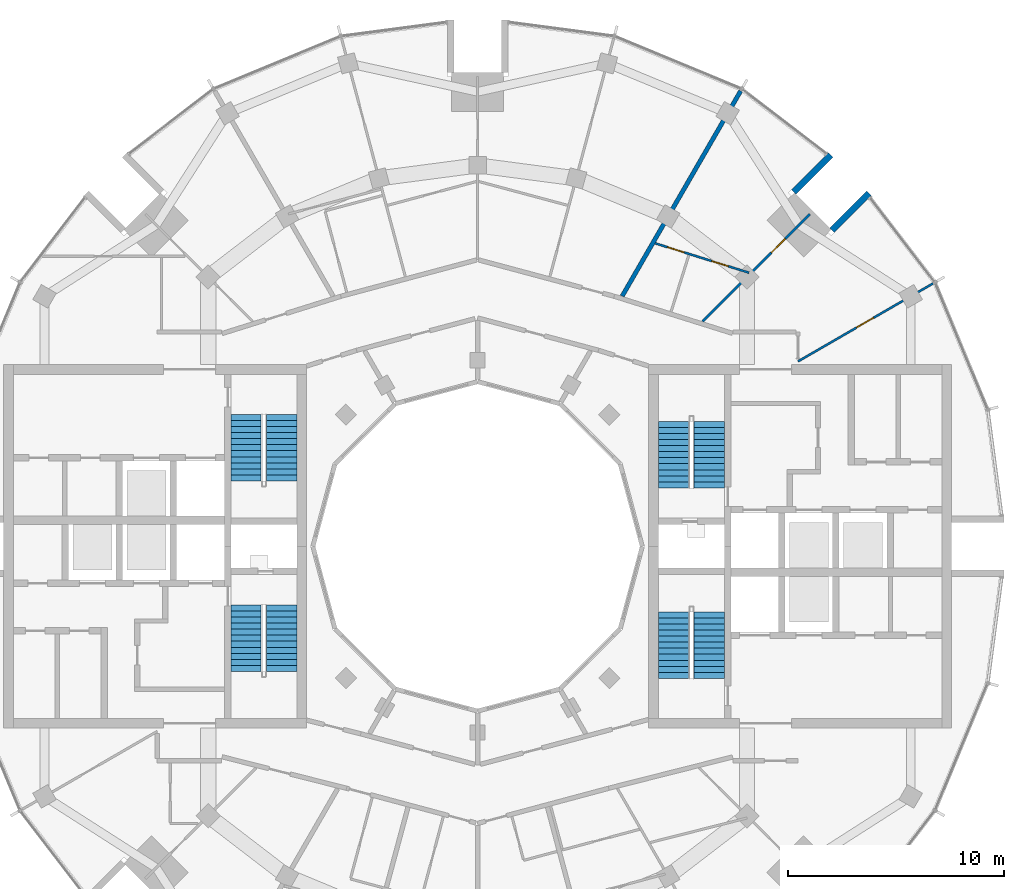
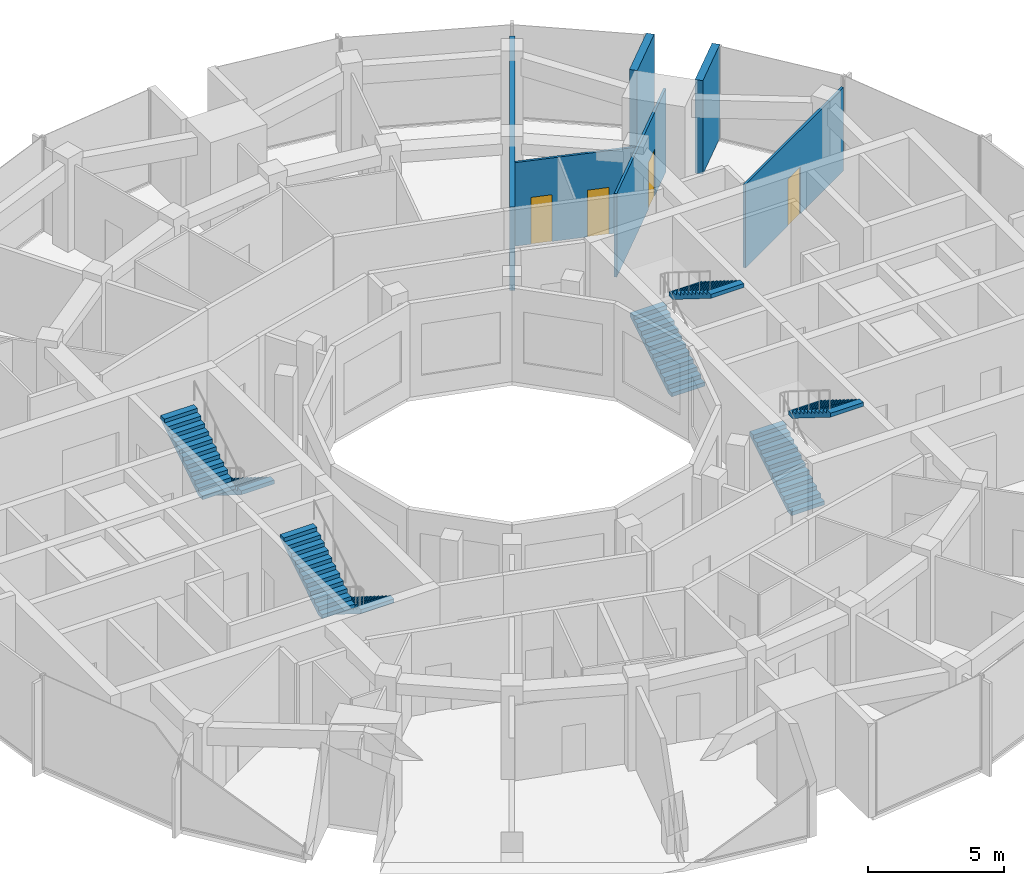
# One storey, part 13 of 15: 8 stair flights, 6 walls, 4 doors, 4 openings, 4 elements without a shape of their own.
"""IFC4 building model written with IfcOpenShell, lengths in metres."""

from ifc_helpers import new_model, si_unit, direction, frame, frame_2d, origin, place, context, subcontext, project, spatial, polyline, rectangle, outline, extrude, material, layer, layer_set, type_object, element, fill, aggregate, save


model = new_model("IFC4")

# Units and contexts
model_context = context("Model", 3, precision=1e-05, world=origin(), true_north=direction((0.0, 1.0)))
body_context = subcontext(model_context, "Body", "Model", "MODEL_VIEW")
ifc_project = project(units=[si_unit("LENGTHUNIT", "METRE"), si_unit("AREAUNIT", "SQUARE_METRE"), si_unit("VOLUMEUNIT", "CUBIC_METRE"), si_unit("PLANEANGLEUNIT", "RADIAN"), si_unit("MASSUNIT", "GRAM", prefix="KILO")], contexts=[model_context])

# Site, building, storey
site_placement = place(None, origin())
site = spatial("IfcSite", under=ifc_project, at=site_placement, CompositionType="ELEMENT")
building_placement = place(site_placement, origin())
building = spatial("IfcBuilding", under=site, at=building_placement, Name="Torre Brocal", CompositionType="ELEMENT")
storey_placement = place(building_placement, frame((0.0, 0.0, 279.89990234375)))
storey = spatial("IfcBuildingStorey", under=building, at=storey_placement, Name="L64", CompositionType="ELEMENT", Elevation=279.89990234375)

# Walls
ifc_material_1 = material(Name="Concrete C50", Category="concrete")
ifc_layer_1 = layer(ifc_material_1, 0.300048828125)
ifc_layer_set_1 = layer_set([ifc_layer_1], Name="Concrete C50")
wall_type_1 = type_object("IfcWallType", Name="NOTCH RETURN WALL 300 C50", PredefinedType="NOTDEFINED", material=ifc_layer_set_1)
for number, where, z_axis, x_axis, name in (
    (1, (96.36962890625, 89.601806640625, 0.0), (0.0, 0.0, 1.0), (0.707106781187, 0.707106781187, 0.0), "NOTCH RETURN WALL"),
    (2, (94.601806640625, 91.36962890625, 0.0), (0.0, 0.0, 1.0), (0.707106781187, 0.707106781187, 0.0), "NOTCH RETURN WALL"),
):
    element("IfcWall", number, at=place(storey_placement, frame(where, z_axis=z_axis, x_axis=x_axis)), inside=storey, type_object=wall_type_1, Name=name, PredefinedType="NOTDEFINED", context=body_context, shape_type="SweptSolid", body=[
        extrude(rectangle(XDim=2.41552734375, YDim=0.300048828125, at=frame_2d((1.207763671875, 0.0))), origin(), (0.0, 0.0, 1.0), 4.2001953125),
    ])

# Wall, openings, doors
ifc_material_2 = material(Name="Gypsum board", Category="Gypsum")
ifc_layer_2 = layer(ifc_material_2, 0.10009765625)
ifc_layer_set_2 = layer_set([ifc_layer_2], Name="Gypsum board")
wall_type_2 = type_object("IfcWallType", Name="PARTITION 100", PredefinedType="PARTITIONING", material=ifc_layer_set_2)
wall_1_placement = place(storey_placement, frame((88.20703125, 88.999267578125, 0.0), z_axis=(0.0, 0.0, 1.0), x_axis=(0.954166656768, -0.29927577769, 0.0)))
wall_1 = element("IfcWall", 3, at=wall_1_placement, inside=storey, type_object=wall_type_2, Name="BATHROOM WALL", PredefinedType="PARTITIONING", context=body_context, shape_type="SweptSolid", body=[
    extrude(rectangle(XDim=4.54150390625, YDim=0.10009765625, at=frame_2d((2.270751953125, 0.0))), origin(), (0.0, 0.0, 1.0), 3.75),
])
opening_1_placement = place(wall_1_placement, frame((0.59228515625, 0.0, 0.0)))
opening_1 = element("IfcOpeningElement", 4, at=opening_1_placement, cuts=wall_1, Name="Opening N01-D03", PredefinedType="OPENING", context=body_context, shape_type="SweptSolid", body=[
    extrude(rectangle(XDim=0.800048828125, YDim=2.10009765625, at=frame_2d((0.39990234375, 1.050048828125))), frame((0.0, 0.06005859375, 0.0), z_axis=(0.0, -1.0, 0.0), x_axis=(1.0, 0.0, 0.0)), (0.0, 0.0, 1.0), 0.1201171875),
])
opening_2_placement = place(wall_1_placement, frame((2.73193359375, 0.0, 0.0)))
opening_2 = element("IfcOpeningElement", 5, at=opening_2_placement, cuts=wall_1, Name="Opening N01-D04", PredefinedType="OPENING", context=body_context, shape_type="SweptSolid", body=[
    extrude(rectangle(XDim=0.800048828125, YDim=2.10009765625, at=frame_2d((0.39990234375, 1.050048828125))), frame((0.0, 0.06005859375, 0.0), z_axis=(0.0, -1.0, 0.0), x_axis=(1.0, 0.0, 0.0)), (0.0, 0.0, 1.0), 0.1201171875),
])
ifc_material_3 = material(Name="Timber", Category="wood")
door_type_1 = type_object("IfcDoorType", Name="BATHROOM DOOR 800X2100", OperationType="SINGLE_SWING_LEFT", PredefinedType="DOOR", material=ifc_material_3)
door_1_placement = place(opening_1_placement, frame((0.800048828125, 0.0, 0.0), z_axis=(0.0, 0.0, 1.0), x_axis=(-1.0, 0.0, 0.0)))
door_1 = element("IfcDoor", 6, at=door_1_placement, inside=storey, type_object=door_type_1, Name="N01-D03", OperationType="SINGLE_SWING_LEFT", OverallHeight=2.10009765625, OverallWidth=0.800048828125, PredefinedType="DOOR", context=body_context, shape_type="SweptSolid", body=[
    extrude(rectangle(XDim=0.800048828125, YDim=2.10009765625, at=frame_2d((0.39990234375, 1.050048828125))), frame((0.0, 0.02490234375, 0.0), z_axis=(0.0, -1.0, 0.0), x_axis=(1.0, 0.0, 0.0)), (0.0, 0.0, 1.0), 0.050048828125),
])
fill(opening_1, door_1)
door_2_placement = place(opening_2_placement, frame((0.800048828125, 0.0, 0.0), z_axis=(0.0, 0.0, 1.0), x_axis=(-1.0, 0.0, 0.0)))
door_2 = element("IfcDoor", 7, at=door_2_placement, inside=storey, type_object=door_type_1, Name="N01-D04", OperationType="SINGLE_SWING_LEFT", OverallHeight=2.10009765625, OverallWidth=0.800048828125, PredefinedType="DOOR", context=body_context, shape_type="SweptSolid", body=[
    extrude(rectangle(XDim=0.800048828125, YDim=2.10009765625, at=frame_2d((0.39990234375, 1.050048828125))), frame((0.0, 0.02490234375, 0.0), z_axis=(0.0, -1.0, 0.0), x_axis=(1.0, 0.0, 0.0)), (0.0, 0.0, 1.0), 0.050048828125),
])
fill(opening_2, door_2)

# Wall, opening, door
wall_2_placement = place(storey_placement, frame((90.39501953125, 85.39501953125, 0.0), z_axis=(0.0, 0.0, 1.0), x_axis=(0.707106781187, 0.707106781187, 0.0)))
wall_2 = element("IfcWall", 8, at=wall_2_placement, inside=storey, type_object=wall_type_2, Name="BATHROOM WALL", PredefinedType="PARTITIONING", context=body_context, shape_type="SweptSolid", body=[
    extrude(rectangle(XDim=6.99951171875, YDim=0.10009765625, at=frame_2d((3.499755859375, 0.0))), origin(), (0.0, 0.0, 1.0), 3.75),
])
opening_3_placement = place(wall_2_placement, frame((4.49609375, 0.0, 0.0)))
opening_3 = element("IfcOpeningElement", 9, at=opening_3_placement, cuts=wall_2, Name="Opening N01-D02", PredefinedType="OPENING", context=body_context, shape_type="SweptSolid", body=[
    extrude(rectangle(XDim=0.89990234375, YDim=2.10009765625, at=frame_2d((0.449951171875, 1.050048828125))), frame((0.0, 0.06005859375, 0.0), z_axis=(0.0, -1.0, 0.0), x_axis=(1.0, 0.0, 0.0)), (0.0, 0.0, 1.0), 0.1201171875),
])
ifc_material_4 = material(Name="Timber", Category="wood")
door_type_2 = type_object("IfcDoorType", Name="ROOM DOOR 900X2100", OperationType="SINGLE_SWING_LEFT", PredefinedType="DOOR", material=ifc_material_4)
door_3_placement = place(opening_3_placement, frame((0.89990234375, 0.0, 0.0), z_axis=(0.0, 0.0, 1.0), x_axis=(-1.0, 0.0, 0.0)))
door_3 = element("IfcDoor", 10, at=door_3_placement, inside=storey, type_object=door_type_2, Name="N01-D02", OperationType="SINGLE_SWING_RIGHT", OverallHeight=2.10009765625, OverallWidth=0.89990234375, PredefinedType="DOOR", context=body_context, shape_type="SweptSolid", body=[
    extrude(rectangle(XDim=0.89990234375, YDim=2.10009765625, at=frame_2d((0.449951171875, 1.050048828125))), frame((0.0, 0.02490234375, 0.0), z_axis=(0.0, -1.0, 0.0), x_axis=(1.0, 0.0, 0.0)), (0.0, 0.0, 1.0), 0.050048828125),
])
fill(opening_3, door_3)

wall_3_placement = place(storey_placement, frame((94.800048828125, 83.544921875, 0.0), z_axis=(0.0, 0.0, 1.0), x_axis=(0.866044015472, 0.499967762227, 0.0)))
wall_3 = element("IfcWall", 11, at=wall_3_placement, inside=storey, type_object=wall_type_2, Name="ROOM PARTITION", PredefinedType="PARTITIONING", context=body_context, shape_type="SweptSolid", body=[
    extrude(rectangle(XDim=7.2080078125, YDim=0.10009765625, at=frame_2d((3.60400390625, 0.0))), origin(), (0.0, 0.0, 1.0), 3.75),
])
opening_4_placement = place(wall_3_placement, frame((3.12890625, 0.0, 0.0)))
opening_4 = element("IfcOpeningElement", 12, at=opening_4_placement, cuts=wall_3, Name="Opening N01-D05", PredefinedType="OPENING", context=body_context, shape_type="SweptSolid", body=[
    extrude(rectangle(XDim=0.89990234375, YDim=2.10009765625, at=frame_2d((0.449951171875, 1.050048828125))), frame((0.0, 0.06005859375, 0.0), z_axis=(0.0, -1.0, 0.0), x_axis=(1.0, 0.0, 0.0)), (0.0, 0.0, 1.0), 0.1201171875),
])
door_4_placement = place(opening_4_placement, frame((0.89990234375, 0.0, 0.0), z_axis=(0.0, 0.0, 1.0), x_axis=(-1.0, 0.0, 0.0)))
door_4 = element("IfcDoor", 13, at=door_4_placement, inside=storey, type_object=door_type_2, Name="N01-D05", OperationType="SINGLE_SWING_RIGHT", OverallHeight=2.10009765625, OverallWidth=0.89990234375, PredefinedType="DOOR", context=body_context, shape_type="SweptSolid", body=[
    extrude(rectangle(XDim=0.89990234375, YDim=2.10009765625, at=frame_2d((0.449951171875, 1.050048828125))), frame((0.0, 0.02490234375, 0.0), z_axis=(0.0, -1.0, 0.0), x_axis=(1.0, 0.0, 0.0)), (0.0, 0.0, 1.0), 0.050048828125),
])
fill(opening_4, door_4)

# Wall
ifc_material_5 = material(Name="Gypsum board", Category="Gypsum")
ifc_layer_3 = layer(ifc_material_5, 0.199951171875)
ifc_layer_set_3 = layer_set([ifc_layer_3], Name="Gypsum board")
wall_type_3 = type_object("IfcWallType", Name="PARTITION 200 EI60", PredefinedType="PARTITIONING", material=ifc_layer_set_3)
wall_4_placement = place(storey_placement, frame((86.677978515625, 86.561767578125, 0.0), z_axis=(0.0, 0.0, 1.0), x_axis=(0.500133037155, 0.865948581122, 0.0)))
element("IfcWall", 14, at=wall_4_placement, inside=storey, type_object=wall_type_3, Name="BATHROOM WALL", PredefinedType="PARTITIONING", context=body_context, shape_type="SweptSolid", body=[
    extrude(rectangle(XDim=10.94580078125, YDim=0.199951171875, at=frame_2d((5.472900390625, 0.0))), origin(), (0.0, 0.0, 1.0), 3.75),
])

# Stair, stair flights
ifc_material_6 = material(Name="Concrete C50", Category="concrete")
stair_type = type_object("IfcStairType", Name="EXIT STAIR", PredefinedType="HALF_TURN_STAIR", material=ifc_material_6)
stair_1_placement = place(storey_placement, origin())
stair_1 = element("IfcStair", 15, at=stair_1_placement, inside=storey, type_object=stair_type, Name="EXIT STAIR ST1", PredefinedType="HALF_TURN_STAIR")
ifc_material_7 = material(Name="Concrete C50", Category="concrete")
ifc_layer_4 = layer(ifc_material_7, 0.14990234375)
ifc_layer_set_4 = layer_set([ifc_layer_4], Name="Concrete C50")
stair_flight_type = type_object("IfcStairFlightType", Name="STAIR FLIGHT", PredefinedType="STRAIGHT", material=ifc_layer_set_4)
stair_flight_1_placement = place(storey_placement, frame((89.050048828125, 77.699951171875, 0.0), z_axis=(0.0, 0.0, 1.0), x_axis=(0.0, 1.0, 0.0)))
stair_flight_1 = element("IfcStairFlight", 16, at=stair_flight_1_placement, type_object=stair_flight_type, Name="ST1 flight 1", NumberOfRisers=12, NumberOfTreads=11, PredefinedType="STRAIGHT", RiserHeight=0.175, TreadLength=0.28, context=body_context, shape_type="SweptSolid", body=[
    extrude(outline(polyline([(0.0, 0.0), (0.0, 0.175048828125), (0.280029296875, 0.175048828125), (0.280029296875, 0.35009765625), (0.56005859375, 0.35009765625), (0.56005859375, 0.52490234375), (0.840087890625, 0.52490234375), (0.840087890625, 0.699951171875), (1.1201171875, 0.699951171875), (1.1201171875, 0.875), (1.39990234375, 0.875), (1.39990234375, 1.050048828125), (1.679931640625, 1.050048828125), (1.679931640625, 1.22509765625), (1.9599609375, 1.22509765625), (1.9599609375, 1.39990234375), (2.239990234375, 1.39990234375), (2.239990234375, 1.574951171875), (2.52001953125, 1.574951171875), (2.52001953125, 1.75), (2.800048828125, 1.75), (2.800048828125, 1.925048828125), (3.080078125, 1.925048828125), (3.080078125, 2.10009765625), (3.080078125, 1.748291015625), (0.28271484375, 0.0), (0.0, 0.0)])), frame((0.0, 0.699951171875, 0.0), z_axis=(0.0, -1.0, 0.0), x_axis=(1.0, 0.0, 0.0)), (0.0, 0.0, 1.0), 1.39990234375),
])
stair_flight_2_placement = place(storey_placement, frame((90.699951171875, 80.780029296875, 2.10009765625), z_axis=(0.0, 0.0, 1.0), x_axis=(0.0, -1.0, 0.0)))
stair_flight_2 = element("IfcStairFlight", 17, at=stair_flight_2_placement, type_object=stair_flight_type, Name="ST1 flight 2", NumberOfRisers=12, NumberOfTreads=11, PredefinedType="STRAIGHT", RiserHeight=0.175, TreadLength=0.28, context=body_context, shape_type="SweptSolid", body=[
    extrude(outline(polyline([(0.0, 0.0), (0.0, 0.175048828125), (0.280029296875, 0.175048828125), (0.280029296875, 0.35009765625), (0.56005859375, 0.35009765625), (0.56005859375, 0.52490234375), (0.840087890625, 0.52490234375), (0.840087890625, 0.699951171875), (1.1201171875, 0.699951171875), (1.1201171875, 0.875), (1.39990234375, 0.875), (1.39990234375, 1.050048828125), (1.679931640625, 1.050048828125), (1.679931640625, 1.22509765625), (1.9599609375, 1.22509765625), (1.9599609375, 1.39990234375), (2.239990234375, 1.39990234375), (2.239990234375, 1.574951171875), (2.52001953125, 1.574951171875), (2.52001953125, 1.75), (2.800048828125, 1.75), (2.800048828125, 1.925048828125), (3.080078125, 1.925048828125), (3.080078125, 2.10009765625), (3.080078125, 1.748291015625), (0.28271484375, 0.0), (0.0, 0.0)])), frame((0.0, 0.699951171875, 0.0), z_axis=(0.0, -1.0, 0.0), x_axis=(1.0, 0.0, 0.0)), (0.0, 0.0, 1.0), 1.39990234375),
])
aggregate(stair_1, [stair_flight_1, stair_flight_2])

stair_2_placement = place(storey_placement, origin())
stair_2 = element("IfcStair", 18, at=stair_2_placement, inside=storey, type_object=stair_type, Name="EXIT STAIR ST2", PredefinedType="HALF_TURN_STAIR")
stair_flight_3_placement = place(storey_placement, frame((89.050048828125, 68.89990234375, 0.0), z_axis=(0.0, 0.0, 1.0), x_axis=(0.0, 1.0, 0.0)))
stair_flight_3 = element("IfcStairFlight", 19, at=stair_flight_3_placement, type_object=stair_flight_type, Name="ST2 flight 1", NumberOfRisers=12, NumberOfTreads=11, PredefinedType="STRAIGHT", RiserHeight=0.175, TreadLength=0.28, context=body_context, shape_type="SweptSolid", body=[
    extrude(outline(polyline([(0.0, 0.0), (0.0, 0.175048828125), (0.280029296875, 0.175048828125), (0.280029296875, 0.35009765625), (0.56005859375, 0.35009765625), (0.56005859375, 0.52490234375), (0.840087890625, 0.52490234375), (0.840087890625, 0.699951171875), (1.1201171875, 0.699951171875), (1.1201171875, 0.875), (1.39990234375, 0.875), (1.39990234375, 1.050048828125), (1.679931640625, 1.050048828125), (1.679931640625, 1.22509765625), (1.9599609375, 1.22509765625), (1.9599609375, 1.39990234375), (2.239990234375, 1.39990234375), (2.239990234375, 1.574951171875), (2.52001953125, 1.574951171875), (2.52001953125, 1.75), (2.800048828125, 1.75), (2.800048828125, 1.925048828125), (3.080078125, 1.925048828125), (3.080078125, 2.10009765625), (3.080078125, 1.748291015625), (0.28271484375, 0.0), (0.0, 0.0)])), frame((0.0, 0.699951171875, 0.0), z_axis=(0.0, -1.0, 0.0), x_axis=(1.0, 0.0, 0.0)), (0.0, 0.0, 1.0), 1.39990234375),
])
stair_flight_4_placement = place(storey_placement, frame((90.699951171875, 71.97998046875, 2.10009765625), z_axis=(0.0, 0.0, 1.0), x_axis=(0.0, -1.0, 0.0)))
stair_flight_4 = element("IfcStairFlight", 20, at=stair_flight_4_placement, type_object=stair_flight_type, Name="ST2 flight 2", NumberOfRisers=12, NumberOfTreads=11, PredefinedType="STRAIGHT", RiserHeight=0.175, TreadLength=0.28, context=body_context, shape_type="SweptSolid", body=[
    extrude(outline(polyline([(0.0, 0.0), (0.0, 0.175048828125), (0.280029296875, 0.175048828125), (0.280029296875, 0.35009765625), (0.56005859375, 0.35009765625), (0.56005859375, 0.52490234375), (0.840087890625, 0.52490234375), (0.840087890625, 0.699951171875), (1.1201171875, 0.699951171875), (1.1201171875, 0.875), (1.39990234375, 0.875), (1.39990234375, 1.050048828125), (1.679931640625, 1.050048828125), (1.679931640625, 1.22509765625), (1.9599609375, 1.22509765625), (1.9599609375, 1.39990234375), (2.239990234375, 1.39990234375), (2.239990234375, 1.574951171875), (2.52001953125, 1.574951171875), (2.52001953125, 1.75), (2.800048828125, 1.75), (2.800048828125, 1.925048828125), (3.080078125, 1.925048828125), (3.080078125, 2.10009765625), (3.080078125, 1.748291015625), (0.28271484375, 0.0), (0.0, 0.0)])), frame((0.0, 0.699951171875, 0.0), z_axis=(0.0, -1.0, 0.0), x_axis=(1.0, 0.0, 0.0)), (0.0, 0.0, 1.0), 1.39990234375),
])
aggregate(stair_2, [stair_flight_3, stair_flight_4])

stair_3_placement = place(storey_placement, origin())
stair_3 = element("IfcStair", 21, at=stair_3_placement, inside=storey, type_object=stair_type, Name="EXIT STAIR ST3", PredefinedType="HALF_TURN_STAIR")
stair_flight_5_placement = place(storey_placement, frame((70.949951171875, 72.300048828125, 0.0), z_axis=(0.0, 0.0, 1.0), x_axis=(0.0, -1.0, 0.0)))
stair_flight_5 = element("IfcStairFlight", 22, at=stair_flight_5_placement, type_object=stair_flight_type, Name="ST3 flight 1", NumberOfRisers=12, NumberOfTreads=11, PredefinedType="STRAIGHT", RiserHeight=0.175, TreadLength=0.28, context=body_context, shape_type="SweptSolid", body=[
    extrude(outline(polyline([(0.0, 0.0), (0.0, 0.175048828125), (0.280029296875, 0.175048828125), (0.280029296875, 0.35009765625), (0.56005859375, 0.35009765625), (0.56005859375, 0.52490234375), (0.840087890625, 0.52490234375), (0.840087890625, 0.699951171875), (1.1201171875, 0.699951171875), (1.1201171875, 0.875), (1.39990234375, 0.875), (1.39990234375, 1.050048828125), (1.679931640625, 1.050048828125), (1.679931640625, 1.22509765625), (1.9599609375, 1.22509765625), (1.9599609375, 1.39990234375), (2.239990234375, 1.39990234375), (2.239990234375, 1.574951171875), (2.52001953125, 1.574951171875), (2.52001953125, 1.75), (2.800048828125, 1.75), (2.800048828125, 1.925048828125), (3.080078125, 1.925048828125), (3.080078125, 2.10009765625), (3.080078125, 1.748291015625), (0.28271484375, 0.0), (0.0, 0.0)])), frame((0.0, 0.699951171875, 0.0), z_axis=(0.0, -1.0, 0.0), x_axis=(1.0, 0.0, 0.0)), (0.0, 0.0, 1.0), 1.39990234375),
])
stair_flight_6_placement = place(storey_placement, frame((69.300048828125, 69.219970703125, 2.10009765625), z_axis=(0.0, 0.0, 1.0), x_axis=(0.0, 1.0, 0.0)))
stair_flight_6 = element("IfcStairFlight", 23, at=stair_flight_6_placement, type_object=stair_flight_type, Name="ST3 flight 2", NumberOfRisers=12, NumberOfTreads=11, PredefinedType="STRAIGHT", RiserHeight=0.175, TreadLength=0.28, context=body_context, shape_type="SweptSolid", body=[
    extrude(outline(polyline([(0.0, 0.0), (0.0, 0.175048828125), (0.280029296875, 0.175048828125), (0.280029296875, 0.35009765625), (0.56005859375, 0.35009765625), (0.56005859375, 0.52490234375), (0.840087890625, 0.52490234375), (0.840087890625, 0.699951171875), (1.1201171875, 0.699951171875), (1.1201171875, 0.875), (1.39990234375, 0.875), (1.39990234375, 1.050048828125), (1.679931640625, 1.050048828125), (1.679931640625, 1.22509765625), (1.9599609375, 1.22509765625), (1.9599609375, 1.39990234375), (2.239990234375, 1.39990234375), (2.239990234375, 1.574951171875), (2.52001953125, 1.574951171875), (2.52001953125, 1.75), (2.800048828125, 1.75), (2.800048828125, 1.925048828125), (3.080078125, 1.925048828125), (3.080078125, 2.10009765625), (3.080078125, 1.748291015625), (0.28271484375, 0.0), (0.0, 0.0)])), frame((0.0, 0.699951171875, 0.0), z_axis=(0.0, -1.0, 0.0), x_axis=(1.0, 0.0, 0.0)), (0.0, 0.0, 1.0), 1.39990234375),
])
aggregate(stair_3, [stair_flight_5, stair_flight_6])

stair_4_placement = place(storey_placement, origin())
stair_4 = element("IfcStair", 24, at=stair_4_placement, inside=storey, type_object=stair_type, Name="EXIT STAIR ST4", PredefinedType="HALF_TURN_STAIR")
stair_flight_7_placement = place(storey_placement, frame((70.949951171875, 81.10009765625, 0.0), z_axis=(0.0, 0.0, 1.0), x_axis=(0.0, -1.0, 0.0)))
stair_flight_7 = element("IfcStairFlight", 25, at=stair_flight_7_placement, type_object=stair_flight_type, Name="ST4 flight 1", NumberOfRisers=12, NumberOfTreads=11, PredefinedType="STRAIGHT", RiserHeight=0.175, TreadLength=0.28, context=body_context, shape_type="SweptSolid", body=[
    extrude(outline(polyline([(0.0, 0.0), (0.0, 0.175048828125), (0.280029296875, 0.175048828125), (0.280029296875, 0.35009765625), (0.56005859375, 0.35009765625), (0.56005859375, 0.52490234375), (0.840087890625, 0.52490234375), (0.840087890625, 0.699951171875), (1.1201171875, 0.699951171875), (1.1201171875, 0.875), (1.39990234375, 0.875), (1.39990234375, 1.050048828125), (1.679931640625, 1.050048828125), (1.679931640625, 1.22509765625), (1.9599609375, 1.22509765625), (1.9599609375, 1.39990234375), (2.239990234375, 1.39990234375), (2.239990234375, 1.574951171875), (2.52001953125, 1.574951171875), (2.52001953125, 1.75), (2.800048828125, 1.75), (2.800048828125, 1.925048828125), (3.080078125, 1.925048828125), (3.080078125, 2.10009765625), (3.080078125, 1.748291015625), (0.28271484375, 0.0), (0.0, 0.0)])), frame((0.0, 0.699951171875, 0.0), z_axis=(0.0, -1.0, 0.0), x_axis=(1.0, 0.0, 0.0)), (0.0, 0.0, 1.0), 1.39990234375),
])
stair_flight_8_placement = place(storey_placement, frame((69.300048828125, 78.02001953125, 2.10009765625), z_axis=(0.0, 0.0, 1.0), x_axis=(0.0, 1.0, 0.0)))
stair_flight_8 = element("IfcStairFlight", 26, at=stair_flight_8_placement, type_object=stair_flight_type, Name="ST4 flight 2", NumberOfRisers=12, NumberOfTreads=11, PredefinedType="STRAIGHT", RiserHeight=0.175, TreadLength=0.28, context=body_context, shape_type="SweptSolid", body=[
    extrude(outline(polyline([(0.0, 0.0), (0.0, 0.175048828125), (0.280029296875, 0.175048828125), (0.280029296875, 0.35009765625), (0.56005859375, 0.35009765625), (0.56005859375, 0.52490234375), (0.840087890625, 0.52490234375), (0.840087890625, 0.699951171875), (1.1201171875, 0.699951171875), (1.1201171875, 0.875), (1.39990234375, 0.875), (1.39990234375, 1.050048828125), (1.679931640625, 1.050048828125), (1.679931640625, 1.22509765625), (1.9599609375, 1.22509765625), (1.9599609375, 1.39990234375), (2.239990234375, 1.39990234375), (2.239990234375, 1.574951171875), (2.52001953125, 1.574951171875), (2.52001953125, 1.75), (2.800048828125, 1.75), (2.800048828125, 1.925048828125), (3.080078125, 1.925048828125), (3.080078125, 2.10009765625), (3.080078125, 1.748291015625), (0.28271484375, 0.0), (0.0, 0.0)])), frame((0.0, 0.699951171875, 0.0), z_axis=(0.0, -1.0, 0.0), x_axis=(1.0, 0.0, 0.0)), (0.0, 0.0, 1.0), 1.39990234375),
])
aggregate(stair_4, [stair_flight_7, stair_flight_8])

save(model, "model.ifc")
